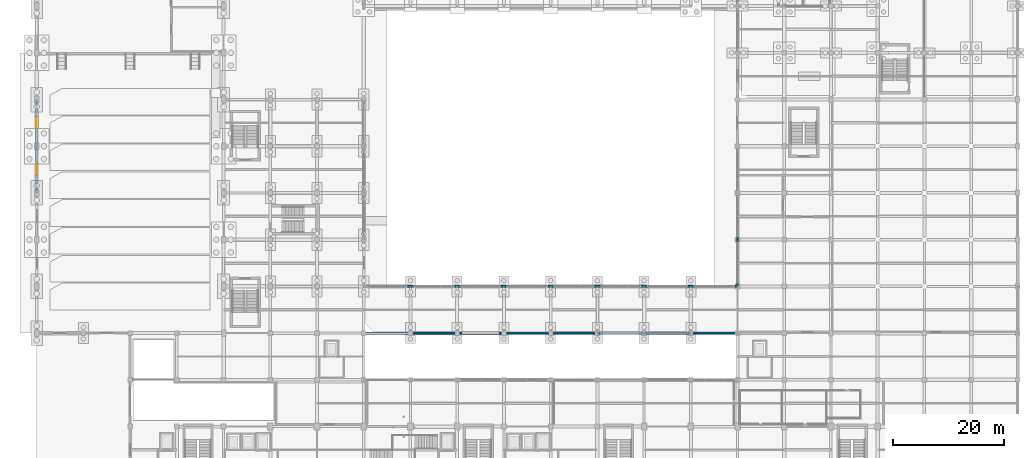
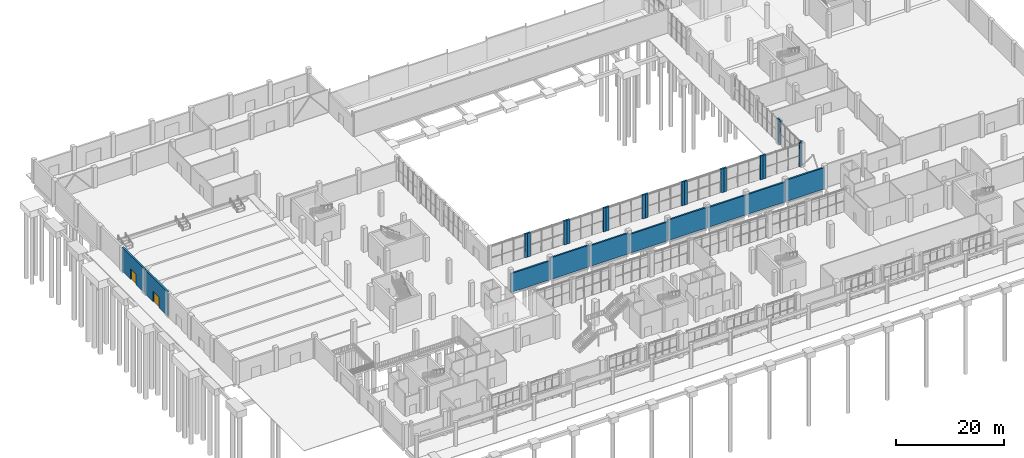
# One storey, part 68 of 82: 27 walls, 2 doors, 2 openings.
"""IFC4 building model written with IfcOpenShell, lengths in metres."""

import ifcopenshell
import ifcopenshell.guid

model = None  # the IFC model being written
_history = None  # IfcOwnerHistory: only IFC2X3 demands one
_inside = {}  # id of a spatial element -> (the spatial element, [elements in it])
_under = {}  # id of a project, library or spatial element -> (it, [spatial elements below it])
_declared = {}  # id of a project -> (the project, [libraries it declares])
_typed = {}  # id of a type object -> (the type object, [elements of that type])
_made_of = {}  # id of a material, layer set ... -> (it, [elements and type objects made of it])


def new_model(schema):
    """Start an empty IFC model of exactly this schema.

    Asked for "IFC4X3", IfcOpenShell would pick the latest addendum, in which some entities
    have other attributes; the version numbers below select the first issue.
    IFC2X3 requires an IfcOwnerHistory on every rooted entity: one is made here for all.
    """
    global model, _history
    if schema == "IFC4X3":
        model = ifcopenshell.file(schema_version=(4, 3, 0, 0))
    else:
        model = ifcopenshell.file(schema=schema)
    _inside.clear()
    _under.clear()
    _declared.clear()
    _typed.clear()
    _made_of.clear()
    _history = None
    if model.schema == "IFC2X3":
        org = make("IfcOrganization", Name="unknown")
        user = make(
            "IfcPersonAndOrganization",
            ThePerson=make("IfcPerson", FamilyName="unknown"),
            TheOrganization=org,
        )
        app = make(
            "IfcApplication",
            ApplicationDeveloper=org,
            Version="unknown",
            ApplicationFullName="unknown",
            ApplicationIdentifier="unknown",
        )
        _history = make(
            "IfcOwnerHistory",
            OwningUser=user,
            OwningApplication=app,
            ChangeAction="ADDED",
            CreationDate=0,
        )
    return model


def make(cls, **values):
    """One entity of the class cls with the attributes given. An attribute that is None is left unset."""
    return model.create_entity(
        cls, **{name: value for name, value in values.items() if value is not None}
    )


def rooted(cls, **values):
    """An entity with a GlobalId (a new one), such as an element, a storey or a relation."""
    return make(cls, GlobalId=ifcopenshell.guid.new(), OwnerHistory=_history, **values)


def si_unit(unit_type, name, prefix=None):
    """IfcSIUnit, for example si_unit("LENGTHUNIT", "METRE", prefix="MILLI")."""
    return make("IfcSIUnit", UnitType=unit_type, Prefix=prefix, Name=name)


def derived_unit(unit_type, elements):
    """IfcDerivedUnit: a product of units, each with its exponent."""
    return make(
        "IfcDerivedUnit",
        Elements=[
            make("IfcDerivedUnitElement", Unit=unit, Exponent=power)
            for unit, power in elements
        ],
        UnitType=unit_type,
    )


def assignment(units):
    """IfcUnitAssignment: the units of a project."""
    return None if units is None else make("IfcUnitAssignment", Units=units)


def point(xyz):
    """IfcCartesianPoint."""
    return None if xyz is None else make("IfcCartesianPoint", Coordinates=xyz)


def direction(xyz):
    """IfcDirection."""
    return None if xyz is None else make("IfcDirection", DirectionRatios=xyz)


def frame(location, z_axis=None, x_axis=None):
    """IfcAxis2Placement3D, a coordinate frame: its origin and axes. An axis left out is left unset."""
    return make(
        "IfcAxis2Placement3D",
        Location=point(location),
        Axis=direction(z_axis),
        RefDirection=direction(x_axis),
    )


def frame_2d(location, x_axis=None):
    """IfcAxis2Placement2D, a coordinate frame in the plane: its origin and x axis."""
    return make(
        "IfcAxis2Placement2D", Location=point(location), RefDirection=direction(x_axis)
    )


def origin():
    """The frame at (0, 0, 0) with its axes left unset."""
    return frame((0.0, 0.0, 0.0))


def place(relative_to, where):
    """IfcLocalPlacement: puts the frame where relative to a parent placement (None: the world)."""
    return make(
        "IfcLocalPlacement", PlacementRelTo=relative_to, RelativePlacement=where
    )


def context(
    kind, dimensions, precision=None, world=None, true_north=None, identifier=None
):
    """IfcGeometricRepresentationContext, for example the 3D "Model" context."""
    return make(
        "IfcGeometricRepresentationContext",
        ContextIdentifier=identifier,
        ContextType=kind,
        CoordinateSpaceDimension=dimensions,
        Precision=precision,
        WorldCoordinateSystem=world,
        TrueNorth=true_north,
    )


def subcontext(parent, identifier, kind, view, scale=None):
    """IfcGeometricRepresentationSubContext, for example "Body" below "Model"."""
    return make(
        "IfcGeometricRepresentationSubContext",
        ContextIdentifier=identifier,
        ContextType=kind,
        ParentContext=parent,
        TargetScale=scale,
        TargetView=view,
    )


def project(units=None, contexts=None):
    """IfcProject with its units and contexts."""
    return rooted(
        "IfcProject",
        Name="project",
        RepresentationContexts=contexts,
        UnitsInContext=assignment(units),
    )


def spatial(cls, under=None, at=None, **own):
    """A site, building, storey or space (cls), placed at a placement, below another one or the project."""
    s = rooted(cls, ObjectPlacement=at, **own)
    if under is not None:
        _under.setdefault(under.id(), (under, []))[1].append(s)
    return s


def profile(cls, at=None, kind="AREA", **sizes):
    """A parametric profile (cls). Its sizes go by their IFC names, for example OverallWidth=200.0."""
    return make(cls, ProfileType=kind, Position=at, **sizes)


def rectangle(**sizes):
    """IfcRectangleProfileDef."""
    return profile("IfcRectangleProfileDef", **sizes)


def extrude(swept, where, along, depth):
    """IfcExtrudedAreaSolid: the profile swept, set in the frame where, extruded along a direction by depth."""
    return make(
        "IfcExtrudedAreaSolid",
        SweptArea=swept,
        Position=where,
        ExtrudedDirection=direction(along),
        Depth=depth,
    )


def shape(context_of_items, identifier, shape_type, items):
    """IfcShapeRepresentation: the items that make up one representation, for example the "Body"."""
    return make(
        "IfcShapeRepresentation",
        ContextOfItems=context_of_items,
        RepresentationIdentifier=identifier,
        RepresentationType=shape_type,
        Items=items,
    )


def material(Name=None, Category=None):
    """IfcMaterial."""
    return make("IfcMaterial", Name=Name, Category=Category)


def layer(
    of_material, thickness, ventilated=None, Name=None, Category=None, Priority=None
):
    """IfcMaterialLayer: one layer of a wall or slab, of a material (None: an air gap)."""
    return make(
        "IfcMaterialLayer",
        Material=of_material,
        LayerThickness=thickness,
        IsVentilated=ventilated,
        Name=Name,
        Category=Category,
        Priority=Priority,
    )


def layer_set(layers, Name=None):
    """IfcMaterialLayerSet."""
    return make("IfcMaterialLayerSet", MaterialLayers=layers, LayerSetName=Name)


def made_of(thing, what):
    """Note that an element or type object is made of a material, layer set ...; save() writes the relation."""
    if what is not None:
        _made_of.setdefault(what.id(), (what, []))[1].append(thing)
    return thing


def type_object(cls, material=None, **own):
    """A type object (cls), such as IfcWallType, which elements share."""
    return made_of(rooted(cls, **own), material)


def element(
    cls,
    number,
    at=None,
    inside=None,
    cuts=None,
    type_object=None,
    material=None,
    context=None,
    identifier="Body",
    shape_type=None,
    held_by="IfcProductDefinitionShape",
    body=None,
    shapes=None,
    **own,
):
    """One element of the class cls, such as IfcWall. Its Tag is "e" and its number.

    at: its placement. inside: the storey or other place that contains it. cuts: it is an
    opening in that element (IfcRelVoidsElement). A single representation is given by context,
    identifier, shape_type and body (its items); several are given by shapes. held_by: the class
    of the entity that holds the representations. save() writes the other relations.
    """
    e = rooted(cls, Tag="e%d" % number, ObjectPlacement=at, **own)
    if body is not None:
        shapes = [shape(context, identifier, shape_type, body)]
    if shapes is not None:
        e.Representation = make(held_by, Representations=shapes)
    if inside is not None:
        _inside.setdefault(inside.id(), (inside, []))[1].append(e)
    if cuts is not None:
        rooted(
            "IfcRelVoidsElement", RelatingBuildingElement=cuts, RelatedOpeningElement=e
        )
    if type_object is not None:
        _typed.setdefault(type_object.id(), (type_object, []))[1].append(e)
    return made_of(e, material)


def fill(opening, filler):
    """IfcRelFillsElement: the door or window that sits in an opening."""
    return rooted(
        "IfcRelFillsElement",
        RelatingOpeningElement=opening,
        RelatedBuildingElement=filler,
    )


def aggregate(whole, parts):
    """IfcRelAggregates: a whole, such as a stair, and the parts it consists of."""
    return rooted("IfcRelAggregates", RelatingObject=whole, RelatedObjects=parts)


def save(model, path):
    """Write the relations noted so far, then the file.

    IfcRelAggregates (storeys below a building ...), IfcRelContainedInSpatialStructure (elements
    in a storey), IfcRelDefinesByType, IfcRelAssociatesMaterial and IfcRelDeclares: one each for
    every whole, place, type object, material and project.
    """
    for whole, parts in _under.values():
        aggregate(whole, parts)
    for where, things in _inside.values():
        rooted(
            "IfcRelContainedInSpatialStructure",
            RelatedElements=things,
            RelatingStructure=where,
        )
    for kind, things in _typed.values():
        rooted("IfcRelDefinesByType", RelatedObjects=things, RelatingType=kind)
    for what, things in _made_of.values():
        rooted("IfcRelAssociatesMaterial", RelatedObjects=things, RelatingMaterial=what)
    for by, libraries in _declared.values():
        rooted("IfcRelDeclares", RelatingContext=by, RelatedDefinitions=libraries)
    model.write(path)


model = new_model("IFC4")

# Units and contexts
model_context = context("Model", 3, precision=1e-05, world=origin(), true_north=direction((0.0, 1.0)))
body_context = subcontext(model_context, "Body", "Model", "MODEL_VIEW")
ifc_project = project(units=[si_unit("LENGTHUNIT", "METRE"), si_unit("AREAUNIT", "SQUARE_METRE"), si_unit("VOLUMEUNIT", "CUBIC_METRE"), si_unit("PLANEANGLEUNIT", "RADIAN"), si_unit("MASSUNIT", "GRAM", prefix="KILO"), derived_unit("THERMALTRANSMITTANCEUNIT", [(si_unit("POWERUNIT", "WATT"), 1), (si_unit("LENGTHUNIT", "METRE"), -2), (si_unit("THERMODYNAMICTEMPERATUREUNIT", "KELVIN"), -1)])], contexts=[model_context])

# Site, building, storey
site_placement = place(None, origin())
site = spatial("IfcSite", under=ifc_project, at=site_placement, CompositionType="ELEMENT")
building_placement = place(site_placement, origin())
building = spatial("IfcBuilding", under=site, at=building_placement, Name="Barrovel Congress Hotel", CompositionType="ELEMENT")
storey_placement = place(building_placement, origin())
storey = spatial("IfcBuildingStorey", under=building, at=storey_placement, Name="L00", CompositionType="ELEMENT", Elevation=0.0)

# Walls
ifc_material_1 = material(Name="Fired Clay Brick Masonry", Category="masonry")
ifc_layer_1 = layer(ifc_material_1, 0.340087890625)
ifc_layer_set_1 = layer_set([ifc_layer_1], Name="Fired Clay Brick Masonry")
wall_type_1 = type_object("IfcWallType", Name="EW-BRK340", PredefinedType="STANDARD", material=ifc_layer_set_1)
for number, where, z_axis, x_axis, name in (
    (1, (126.0, 54.60009765625, 0.0), (0.0, 0.0, 1.0), (0.0, -1.0, 0.0), "EW:L00:CEJ-B:46.2"),
    (2, (126.0, 46.800048828125, 0.0), (0.0, 0.0, 1.0), (0.0, -1.0, 0.0), "EW:L00:CEJ-A:46.2"),
):
    element("IfcWall", number, at=place(storey_placement, frame(where, z_axis=z_axis, x_axis=x_axis)), inside=storey, type_object=wall_type_1, Name=name, PredefinedType="STANDARD", context=body_context, shape_type="SweptSolid", body=[
        extrude(rectangle(XDim=0.60009765625, YDim=0.340087890625, at=frame_2d((0.300048828125, 0.0))), origin(), (0.0, 0.0, 1.0), 5.39990234375),
    ])
for number, where, z_axis, x_axis, name in (
    (3, (126.0, 55.199951171875, 0.0), (0.0, 0.0, 1.0), (0.0, -1.0, 0.0), "EW:L00:CEJ-A:54.6"),
    (4, (67.199951171875, 46.199951171875, 0.0), (0.0, 0.0, 1.0), (-1.0, 0.0, 0.0), "EW:L00:CLJ-L:7"),
):
    element("IfcWall", number, at=place(storey_placement, frame(where, z_axis=z_axis, x_axis=x_axis)), inside=storey, type_object=wall_type_1, Name=name, PredefinedType="STANDARD", context=body_context, shape_type="SweptSolid", body=[
        extrude(rectangle(XDim=0.599853515625, YDim=0.340087890625, at=frame_2d((0.2998046875, 0.0))), origin(), (0.0, 0.0, 1.0), 5.39990234375),
    ])
for number, where, z_axis, x_axis, name in (
    (5, (75.60009765625, 46.199951171875, 0.0), (0.0, 0.0, 1.0), (-1.0, 0.0, 0.0), "EW:L00:CLJ-L:8"),
    (6, (67.800048828125, 46.199951171875, 0.0), (0.0, 0.0, 1.0), (-1.0, 0.0, 0.0), "EW:L00:CLJ-R:8"),
    (7, (84.0, 46.199951171875, 0.0), (0.0, 0.0, 1.0), (-1.0, 0.0, 0.0), "EW:L00:CLJ-L:9"),
):
    element("IfcWall", number, at=place(storey_placement, frame(where, z_axis=z_axis, x_axis=x_axis)), inside=storey, type_object=wall_type_1, Name=name, PredefinedType="STANDARD", context=body_context, shape_type="SweptSolid", body=[
        extrude(rectangle(XDim=0.60009765625, YDim=0.340087890625, at=frame_2d((0.300048828125, 0.0))), origin(), (0.0, 0.0, 1.0), 5.39990234375),
    ])
for number, where, z_axis, x_axis, name in (
    (8, (76.199951171875, 46.199951171875, 0.0), (0.0, 0.0, 1.0), (-1.0, 0.0, 0.0), "EW:L00:CLJ-R:9"),
    (9, (92.39990234375, 46.199951171875, 0.0), (0.0, 0.0, 1.0), (-1.0, 0.0, 0.0), "EW:L00:CLJ-L:10"),
):
    element("IfcWall", number, at=place(storey_placement, frame(where, z_axis=z_axis, x_axis=x_axis)), inside=storey, type_object=wall_type_1, Name=name, PredefinedType="STANDARD", context=body_context, shape_type="SweptSolid", body=[
        extrude(rectangle(XDim=0.599853515625, YDim=0.340087890625, at=frame_2d((0.2998046875, 0.0))), origin(), (0.0, 0.0, 1.0), 5.39990234375),
    ])
for number, where, z_axis, x_axis, name in (
    (10, (84.60009765625, 46.199951171875, 0.0), (0.0, 0.0, 1.0), (-1.0, 0.0, 0.0), "EW:L00:CLJ-R:10"),
    (11, (100.800048828125, 46.199951171875, 0.0), (0.0, 0.0, 1.0), (-1.0, 0.0, 0.0), "EW:L00:CLJ-L:11"),
    (12, (93.0, 46.199951171875, 0.0), (0.0, 0.0, 1.0), (-1.0, 0.0, 0.0), "EW:L00:CLJ-R:11"),
):
    element("IfcWall", number, at=place(storey_placement, frame(where, z_axis=z_axis, x_axis=x_axis)), inside=storey, type_object=wall_type_1, Name=name, PredefinedType="STANDARD", context=body_context, shape_type="SweptSolid", body=[
        extrude(rectangle(XDim=0.60009765625, YDim=0.340087890625, at=frame_2d((0.300048828125, 0.0))), origin(), (0.0, 0.0, 1.0), 5.39990234375),
    ])
for number, where, z_axis, x_axis, name in (
    (13, (109.199951171875, 46.199951171875, 0.0), (0.0, 0.0, 1.0), (-1.0, 0.0, 0.0), "EW:L00:CLJ-L:12"),
    (14, (101.39990234375, 46.199951171875, 0.0), (0.0, 0.0, 1.0), (-1.0, 0.0, 0.0), "EW:L00:CLJ-R:12"),
):
    element("IfcWall", number, at=place(storey_placement, frame(where, z_axis=z_axis, x_axis=x_axis)), inside=storey, type_object=wall_type_1, Name=name, PredefinedType="STANDARD", context=body_context, shape_type="SweptSolid", body=[
        extrude(rectangle(XDim=0.599853515625, YDim=0.340087890625, at=frame_2d((0.2998046875, 0.0))), origin(), (0.0, 0.0, 1.0), 5.39990234375),
    ])
for number, where, z_axis, x_axis, name in (
    (15, (117.60009765625, 46.199951171875, 0.0), (0.0, 0.0, 1.0), (-1.0, 0.0, 0.0), "EW:L00:CLJ-L:13"),
    (16, (109.800048828125, 46.199951171875, 0.0), (0.0, 0.0, 1.0), (-1.0, 0.0, 0.0), "EW:L00:CLJ-R:13"),
):
    element("IfcWall", number, at=place(storey_placement, frame(where, z_axis=z_axis, x_axis=x_axis)), inside=storey, type_object=wall_type_1, Name=name, PredefinedType="STANDARD", context=body_context, shape_type="SweptSolid", body=[
        extrude(rectangle(XDim=0.60009765625, YDim=0.340087890625, at=frame_2d((0.300048828125, 0.0))), origin(), (0.0, 0.0, 1.0), 5.39990234375),
    ])
wall_1_placement = place(storey_placement, frame((125.830078125, 46.199951171875, 0.0), z_axis=(0.0, 0.0, 1.0), x_axis=(-1.0, 0.0, 0.0)))
element("IfcWall", 17, at=wall_1_placement, inside=storey, type_object=wall_type_1, Name="EW:L00:CLJ-L:14", PredefinedType="STANDARD", context=body_context, shape_type="SweptSolid", body=[
    extrude(rectangle(XDim=0.43017578125, YDim=0.340087890625, at=frame_2d((0.215087890625, 0.0))), origin(), (0.0, 0.0, 1.0), 5.39990234375),
])
wall_2_placement = place(storey_placement, frame((118.199951171875, 46.199951171875, 0.0), z_axis=(0.0, 0.0, 1.0), x_axis=(-1.0, 0.0, 0.0)))
element("IfcWall", 18, at=wall_2_placement, inside=storey, type_object=wall_type_1, Name="EW:L00:CLJ-R:14", PredefinedType="STANDARD", context=body_context, shape_type="SweptSolid", body=[
    extrude(rectangle(XDim=0.599853515625, YDim=0.340087890625, at=frame_2d((0.2998046875, 0.0))), origin(), (0.0, 0.0, 1.0), 5.39990234375),
])
wall_3_placement = place(storey_placement, frame((100.800048828125, 37.800048828125, 0.0), z_axis=(0.0, 0.0, 1.0), x_axis=(1.0, 0.0, 0.0)))
element("IfcWall", 19, at=wall_3_placement, inside=storey, type_object=wall_type_1, Name="EW:L00:CLS", PredefinedType="STANDARD", context=body_context, shape_type="SweptSolid", body=[
    extrude(rectangle(XDim=16.800048828125, YDim=0.340087890625, at=frame_2d((8.39990234375, 0.0))), origin(), (0.0, 0.0, 1.0), 4.489990234375),
])
wall_4_placement = place(storey_placement, frame((58.800048828125, 37.800048828125, 0.0), z_axis=(0.0, 0.0, 1.0), x_axis=(1.0, 0.0, 0.0)))
element("IfcWall", 20, at=wall_4_placement, inside=storey, type_object=wall_type_1, Name="EW:L00:CLS:P01", PredefinedType="STANDARD", context=body_context, shape_type="SweptSolid", body=[
    extrude(rectangle(XDim=8.39990234375, YDim=0.340087890625, at=frame_2d((4.199951171875, 0.0))), origin(), (0.0, 0.0, 1.0), 4.2900390625),
])
wall_5_placement = place(storey_placement, frame((67.199951171875, 37.800048828125, 0.0), z_axis=(0.0, 0.0, 1.0), x_axis=(1.0, 0.0, 0.0)))
element("IfcWall", 21, at=wall_5_placement, inside=storey, type_object=wall_type_1, Name="EW:L00:CLS:P02", PredefinedType="STANDARD", context=body_context, shape_type="SweptSolid", body=[
    extrude(rectangle(XDim=8.400146484375, YDim=0.340087890625, at=frame_2d((4.2001953125, 0.0))), origin(), (0.0, 0.0, 1.0), 4.89306640625),
])
wall_6_placement = place(storey_placement, frame((75.60009765625, 37.800048828125, 0.0), z_axis=(0.0, 0.0, 1.0), x_axis=(1.0, 0.0, 0.0)))
element("IfcWall", 22, at=wall_6_placement, inside=storey, type_object=wall_type_1, Name="EW:L00:CLS:P03", PredefinedType="STANDARD", context=body_context, shape_type="SweptSolid", body=[
    extrude(rectangle(XDim=8.39990234375, YDim=0.340087890625, at=frame_2d((4.199951171875, 0.0))), origin(), (0.0, 0.0, 1.0), 4.680908203125),
])
wall_7_placement = place(storey_placement, frame((84.0, 37.800048828125, 0.0), z_axis=(0.0, 0.0, 1.0), x_axis=(1.0, 0.0, 0.0)))
element("IfcWall", 23, at=wall_7_placement, inside=storey, type_object=wall_type_1, Name="EW:L00:CLS:P04", PredefinedType="STANDARD", context=body_context, shape_type="SweptSolid", body=[
    extrude(rectangle(XDim=8.39990234375, YDim=0.340087890625, at=frame_2d((4.199951171875, 0.0))), origin(), (0.0, 0.0, 1.0), 4.2900390625),
])
wall_8_placement = place(storey_placement, frame((92.39990234375, 37.800048828125, 0.0), z_axis=(0.0, 0.0, 1.0), x_axis=(1.0, 0.0, 0.0)))
element("IfcWall", 24, at=wall_8_placement, inside=storey, type_object=wall_type_1, Name="EW:L00:CLS:P05", PredefinedType="STANDARD", context=body_context, shape_type="SweptSolid", body=[
    extrude(rectangle(XDim=8.400146484375, YDim=0.340087890625, at=frame_2d((4.2001953125, 0.0))), origin(), (0.0, 0.0, 1.0), 4.639892578125),
])
wall_9_placement = place(storey_placement, frame((117.60009765625, 37.800048828125, 0.0), z_axis=(0.0, 0.0, 1.0), x_axis=(1.0, 0.0, 0.0)))
element("IfcWall", 25, at=wall_9_placement, inside=storey, type_object=wall_type_1, Name="EW:L00:CLS:P07", PredefinedType="STANDARD", context=body_context, shape_type="SweptSolid", body=[
    extrude(rectangle(XDim=8.39990234375, YDim=0.340087890625, at=frame_2d((4.199951171875, 0.0))), origin(), (0.0, 0.0, 1.0), 4.835205078125),
])

# Wall, opening, door
ifc_layer_2 = layer(ifc_material_1, 0.3798828125)
ifc_layer_set_2 = layer_set([ifc_layer_2], Name="Fired Clay Brick Masonry")
wall_type_2 = type_object("IfcWallType", Name="EW-BRK380", PredefinedType="STANDARD", material=ifc_layer_set_2)
wall_10_placement = place(storey_placement, frame((0.0, 79.800048828125, 0.0), z_axis=(0.0, 0.0, 1.0), x_axis=(0.0, -1.0, 0.0)))
wall_10 = element("IfcWall", 26, at=wall_10_placement, inside=storey, type_object=wall_type_2, Name="EW:L00:V1W:71.4", PredefinedType="STANDARD", context=body_context, shape_type="SweptSolid", body=[
    extrude(rectangle(XDim=8.400146484375, YDim=0.3798828125, at=frame_2d((4.2001953125, 0.0))), origin(), (0.0, 0.0, 1.0), 5.39990234375),
])
opening_1_placement = place(wall_10_placement, frame((5.25, 0.0, 0.0), z_axis=(0.0, 0.0, 1.0), x_axis=(-1.0, 0.0, 0.0)))
opening_1 = element("IfcOpeningElement", 27, at=opening_1_placement, cuts=wall_10, Name="Opening ED-01", PredefinedType="OPENING", context=body_context, shape_type="SweptSolid", body=[
    extrude(rectangle(XDim=2.10009765625, YDim=2.39990234375, at=frame_2d((1.050048828125, 1.199951171875))), frame((0.0, 0.199951171875, 0.0), z_axis=(0.0, -1.0, 0.0), x_axis=(1.0, 0.0, 0.0)), (0.0, 0.0, 1.0), 0.39990234375),
])
ifc_material_2 = material(Name="Anodised Aluminium Glazed Door", Category="aluminium")
door_type = type_object("IfcDoorType", Name="EDR-ED-01", OperationType="NOTDEFINED", PredefinedType="DOOR", material=ifc_material_2)
door_1_placement = place(opening_1_placement, origin())
door_1 = element("IfcDoor", 28, at=door_1_placement, inside=storey, type_object=door_type, Name="Grade Exit Door E-19", OperationType="DOUBLE_DOOR_SINGLE_SWING", OverallHeight=2.39990234375, OverallWidth=2.10009765625, PredefinedType="DOOR", context=body_context, shape_type="SweptSolid", body=[
    extrude(rectangle(XDim=2.10009765625, YDim=2.39990234375, at=frame_2d((1.050048828125, 1.199951171875))), frame((0.0, 0.02490234375, 0.0), z_axis=(0.0, -1.0, 0.0), x_axis=(1.0, 0.0, 0.0)), (0.0, 0.0, 1.0), 0.050048828125),
])
fill(opening_1, door_1)

wall_11_placement = place(storey_placement, frame((0.0, 71.39990234375, 0.0), z_axis=(0.0, 0.0, 1.0), x_axis=(0.0, -1.0, 0.0)))
wall_11 = element("IfcWall", 29, at=wall_11_placement, inside=storey, type_object=wall_type_2, Name="EW:L00:V1W:63.0", PredefinedType="STANDARD", context=body_context, shape_type="SweptSolid", body=[
    extrude(rectangle(XDim=8.39990234375, YDim=0.3798828125, at=frame_2d((4.199951171875, 0.0))), origin(), (0.0, 0.0, 1.0), 5.39990234375),
])
opening_2_placement = place(wall_11_placement, frame((5.25, 0.0, 0.0), z_axis=(0.0, 0.0, 1.0), x_axis=(-1.0, 0.0, 0.0)))
opening_2 = element("IfcOpeningElement", 30, at=opening_2_placement, cuts=wall_11, Name="Opening ED-01", PredefinedType="OPENING", context=body_context, shape_type="SweptSolid", body=[
    extrude(rectangle(XDim=2.10009765625, YDim=2.39990234375, at=frame_2d((1.050048828125, 1.199951171875))), frame((0.0, 0.199951171875, 0.0), z_axis=(0.0, -1.0, 0.0), x_axis=(1.0, 0.0, 0.0)), (0.0, 0.0, 1.0), 0.39990234375),
])
door_2_placement = place(opening_2_placement, origin())
door_2 = element("IfcDoor", 31, at=door_2_placement, inside=storey, type_object=door_type, Name="Grade Exit Door E-18", OperationType="DOUBLE_DOOR_SINGLE_SWING", OverallHeight=2.39990234375, OverallWidth=2.10009765625, PredefinedType="DOOR", context=body_context, shape_type="SweptSolid", body=[
    extrude(rectangle(XDim=2.10009765625, YDim=2.39990234375, at=frame_2d((1.050048828125, 1.199951171875))), frame((0.0, 0.02490234375, 0.0), z_axis=(0.0, -1.0, 0.0), x_axis=(1.0, 0.0, 0.0)), (0.0, 0.0, 1.0), 0.050048828125),
])
fill(opening_2, door_2)

save(model, "model.ifc")
